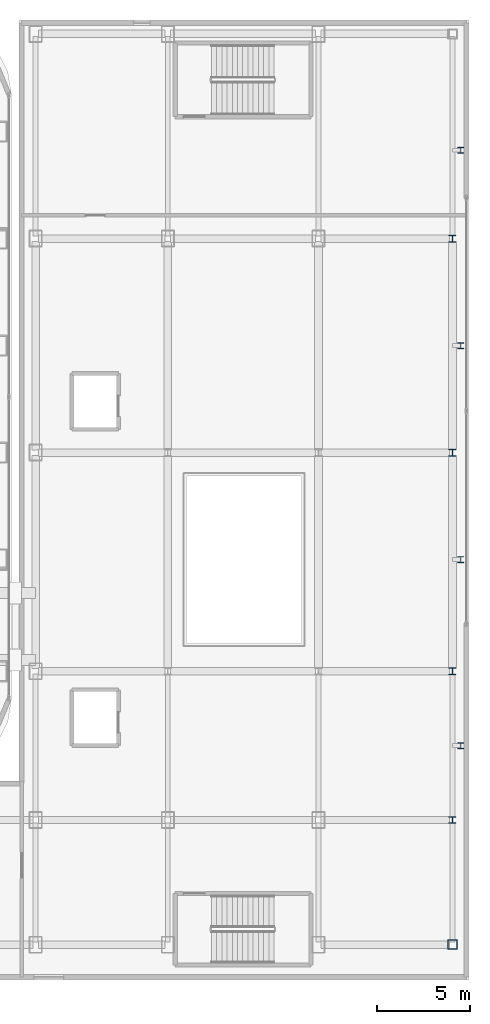
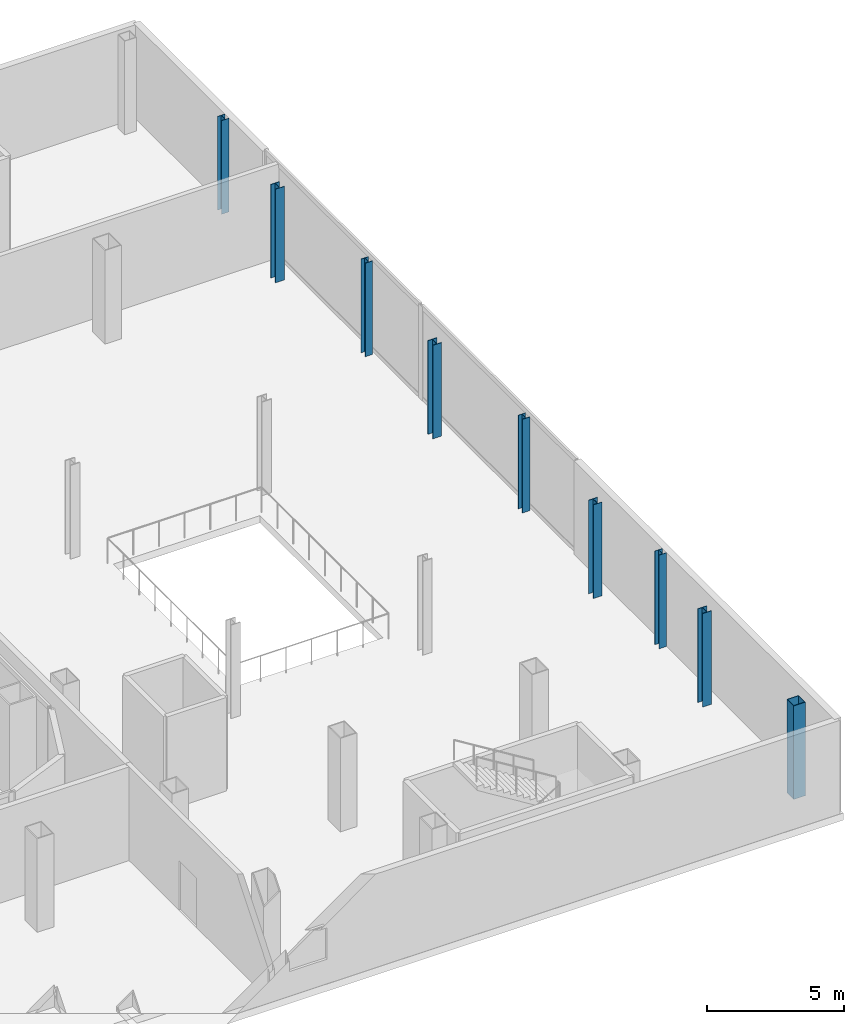
# One storey, part 4 of 26: 9 columns.
"""IFC4 building model written with IfcOpenShell, lengths in metres."""

from ifc_helpers import new_model, si_unit, direction, frame, origin, origin_2d, place, context, subcontext, project, spatial, hollow_rectangle, i_section, extrude, source, transform, mapped, material, material_profile, profile_set, type_object, element, save


model = new_model("IFC4")

# Units and contexts
model_context = context("Model", 3, precision=1e-05, world=origin(), true_north=direction((0.0, 1.0)))
body_context = subcontext(model_context, "Body", "Model", "MODEL_VIEW")
ifc_project = project(units=[si_unit("LENGTHUNIT", "METRE"), si_unit("AREAUNIT", "SQUARE_METRE"), si_unit("VOLUMEUNIT", "CUBIC_METRE"), si_unit("PLANEANGLEUNIT", "RADIAN"), si_unit("MASSUNIT", "GRAM", prefix="KILO")], contexts=[model_context])

# Site, building, storey
site_placement = place(None, origin())
site = spatial("IfcSite", under=ifc_project, at=site_placement, CompositionType="ELEMENT")
building_placement = place(site_placement, origin())
building = spatial("IfcBuilding", under=site, at=building_placement, Name="Kolveth Station Tower", CompositionType="ELEMENT")
storey_placement = place(building_placement, frame((0.0, 0.0, 4.5)))
storey = spatial("IfcBuildingStorey", under=building, at=storey_placement, Name="L01", CompositionType="ELEMENT", Elevation=4.5)

# Columns
ifc_material = material(Name="Steel S355", Category="steel")
ifc_material_profile_1 = material_profile(ifc_material, hollow_rectangle(XDim=0.5, YDim=0.5, WallThickness=0.02490234375, at=origin_2d()), Name="HSS500x500x25")
ifc_profile_set_1 = profile_set([ifc_material_profile_1], Name="Steel S355")
column_type_1 = type_object("IfcColumnType", Name="Col_SC2", PredefinedType="COLUMN", material=ifc_profile_set_1)
shared_shape_1 = source(origin(), body_context, "Body", "SweptSolid", [
    extrude(hollow_rectangle(XDim=0.5, YDim=0.5, WallThickness=0.02490234375, at=origin_2d()), origin(), (0.0, 0.0, 1.0), 4.179931640625),
])
column_placement = place(storey_placement, frame((70.699951171875, -9.199951171875, 0.0), z_axis=(0.0, 0.0, 1.0), x_axis=(1.0, 0.0, 0.0)))
element("IfcColumn", 1, at=column_placement, inside=storey, type_object=column_type_1, Name="L01 Station Column SE-4-1", PredefinedType="COLUMN", context=body_context, shape_type="MappedRepresentation", body=[
    mapped(shared_shape_1, transform((0.0, 0.0, 0.0), x_axis=(1.0, 0.0, 0.0), y_axis=(0.0, 1.0, 0.0), z_axis=(0.0, 0.0, 1.0), scale=1.0)),
])
ifc_material_profile_2 = material_profile(ifc_material, i_section(OverallWidth=0.3740234375, OverallDepth=0.3720703125, WebThickness=0.016357421875, FlangeThickness=0.026123046875, at=origin_2d()), Name="W360x196")
ifc_profile_set_2 = profile_set([ifc_material_profile_2], Name="Steel S355")
column_type_2 = type_object("IfcColumnType", Name="Col_CW2", PredefinedType="COLUMN", material=ifc_profile_set_2)
shared_shape_2 = source(origin(), body_context, "Body", "SweptSolid", [
    extrude(i_section(OverallWidth=0.3740234375, OverallDepth=0.3720703125, WebThickness=0.016357421875, FlangeThickness=0.026123046875, at=origin_2d()), origin(), (0.0, 0.0, 1.0), 4.179931640625),
])
for number, where, z_axis, x_axis, name in (
    (2, (70.699951171875, -2.5, 0.0), (0.0, 0.0, 1.0), (1.0, 0.0, 0.0), "L01 Station Column SE-4-2"),
    (3, (70.699951171875, 5.5, 0.0), (0.0, 0.0, 1.0), (1.0, 0.0, 0.0), "L01 Station Column SE-4-3"),
    (4, (70.699951171875, 17.25, 0.0), (0.0, 0.0, 1.0), (1.0, 0.0, 0.0), "L01 Station Column SE-4-4"),
    (5, (70.699951171875, 28.75, 0.0), (0.0, 0.0, 1.0), (1.0, 0.0, 0.0), "L01 Station Column SE-4-5"),
):
    element("IfcColumn", number, at=place(storey_placement, frame(where, z_axis=z_axis, x_axis=x_axis)), inside=storey, type_object=column_type_2, Name=name, PredefinedType="COLUMN", context=body_context, shape_type="MappedRepresentation", body=[
        mapped(shared_shape_2, transform((0.0, 0.0, 0.0), x_axis=(1.0, 0.0, 0.0), y_axis=(0.0, 1.0, 0.0), z_axis=(0.0, 0.0, 1.0), scale=1.0)),
    ])
ifc_material_profile_3 = material_profile(ifc_material, i_section(OverallWidth=0.30908203125, OverallDepth=0.322998046875, WebThickness=0.013916015625, FlangeThickness=0.02294921875, at=origin_2d()), Name="W310x143")
ifc_profile_set_3 = profile_set([ifc_material_profile_3], Name="Steel S355")
column_type_3 = type_object("IfcColumnType", Name="Col_PL1", PredefinedType="PILASTER", material=ifc_profile_set_3)
shared_shape_3 = source(origin(), body_context, "Body", "SweptSolid", [
    extrude(i_section(OverallWidth=0.30908203125, OverallDepth=0.322998046875, WebThickness=0.013916015625, FlangeThickness=0.02294921875, at=origin_2d()), origin(), (0.0, 0.0, 1.0), 4.179931640625),
])
for number, where, z_axis, x_axis, name in (
    (6, (71.14990234375, 1.5, 0.0), (0.0, 0.0, 1.0), (1.0, 0.0, 0.0), "L01 Station Column SPL-1"),
    (7, (71.14990234375, 11.5, 0.0), (0.0, 0.0, 1.0), (1.0, 0.0, 0.0), "L01 Station Column SPL-2"),
    (8, (71.14990234375, 23.0, 0.0), (0.0, 0.0, 1.0), (1.0, 0.0, 0.0), "L01 Station Column SPL-3"),
    (9, (71.14990234375, 33.5, 0.0), (0.0, 0.0, 1.0), (1.0, 0.0, 0.0), "L01 Station Column SPL-4"),
):
    element("IfcColumn", number, at=place(storey_placement, frame(where, z_axis=z_axis, x_axis=x_axis)), inside=storey, type_object=column_type_3, Name=name, PredefinedType="PILASTER", context=body_context, shape_type="MappedRepresentation", body=[
        mapped(shared_shape_3, transform((0.0, 0.0, 0.0), x_axis=(1.0, 0.0, 0.0), y_axis=(0.0, 1.0, 0.0), z_axis=(0.0, 0.0, 1.0), scale=1.0)),
    ])

save(model, "model.ifc")
